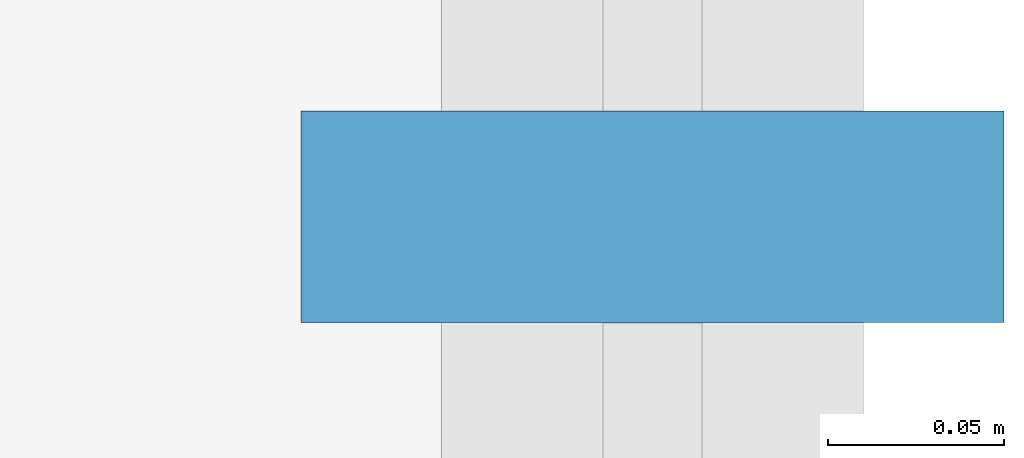
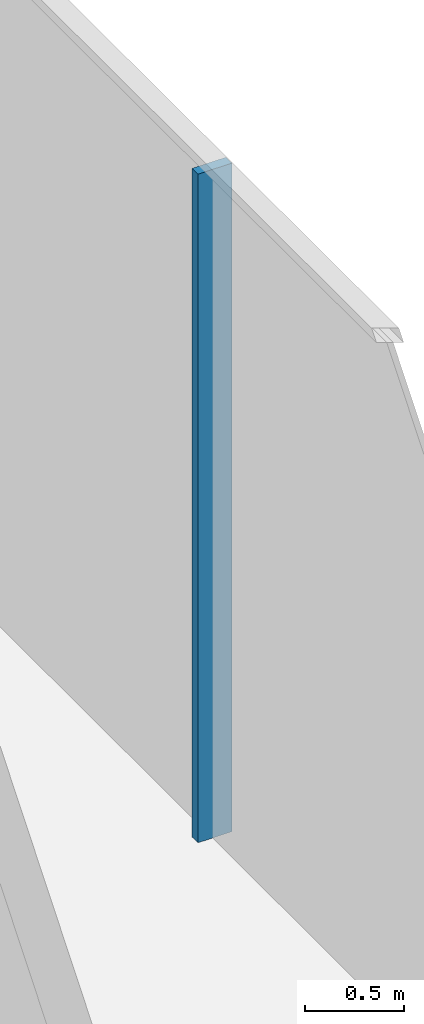
# One storey, part 19 of 43: 1 member, 1 element without a shape of its own.
"""IFC4 building model written with IfcOpenShell, lengths in metres."""

from ifc_helpers import new_model, si_unit, direction, frame, origin, origin_2d, place, context, subcontext, project, spatial, rectangle, extrude, material, layer, layer_set, material_profile, profile_set, type_object, element, aggregate, save


model = new_model("IFC4")

# Units and contexts
model_context = context("Model", 3, precision=1e-05, world=origin(), true_north=direction((0.0, 1.0)))
body_context = subcontext(model_context, "Body", "Model", "MODEL_VIEW")
ifc_project = project(units=[si_unit("LENGTHUNIT", "METRE"), si_unit("AREAUNIT", "SQUARE_METRE"), si_unit("VOLUMEUNIT", "CUBIC_METRE"), si_unit("PLANEANGLEUNIT", "RADIAN"), si_unit("MASSUNIT", "GRAM", prefix="KILO")], contexts=[model_context])

# Site, building, storey
site_placement = place(None, origin())
site = spatial("IfcSite", under=ifc_project, at=site_placement, CompositionType="ELEMENT")
building_placement = place(site_placement, origin())
building = spatial("IfcBuilding", under=site, at=building_placement, Name="Madar Terraces", CompositionType="ELEMENT")
storey_placement = place(building_placement, frame((0.0, 0.0, 10.5)))
storey = spatial("IfcBuildingStorey", under=building, at=storey_placement, Name="L02", CompositionType="ELEMENT", Elevation=10.5)

# Curtain wall, member
ifc_material_1 = material(Name="Glass, clear low-iron, with black aluminium frame", Category="aluminium")
ifc_layer = layer(ifc_material_1, 0.199951171875)
ifc_layer_set = layer_set([ifc_layer], Name="Facade curtain wall, shopfront glazing")
curtain_wall_type = type_object("IfcCurtainWallType", Name="Facade curtain wall, shopfront glazing", PredefinedType="NOTDEFINED", material=ifc_layer_set)
curtain_wall_placement = place(storey_placement, origin())
curtain_wall = element("IfcCurtainWall", 1, at=curtain_wall_placement, inside=storey, type_object=curtain_wall_type, Name="Outer skin curtain wall east bay 1", PredefinedType="NOTDEFINED")
ifc_material_2 = material(Name="Aluminium, black anodised", Category="aluminium")
ifc_material_profile = material_profile(ifc_material_2, rectangle(XDim=0.199951171875, YDim=0.06005859375, at=origin_2d()), Name="Facade mullion 60x200")
ifc_profile_set = profile_set([ifc_material_profile], Name="Aluminium, black anodised")
member_type = type_object("IfcMemberType", Name="Facade mullion 60x200", PredefinedType="MULLION", material=ifc_profile_set)
member_placement = place(storey_placement, frame((69.60009765625, 28.800048828125, 0.0), z_axis=(0.0, 0.0, 1.0), x_axis=(-1.0, 0.0, 0.0)))
member = element("IfcMember", 2, at=member_placement, type_object=member_type, Name="Mullion 8", PredefinedType="MULLION", context=body_context, shape_type="SweptSolid", body=[
    extrude(rectangle(XDim=0.199951171875, YDim=0.06005859375, at=origin_2d()), origin(), (0.0, 0.0, 1.0), 4.139892578125),
])
aggregate(curtain_wall, [member])

save(model, "model.ifc")
